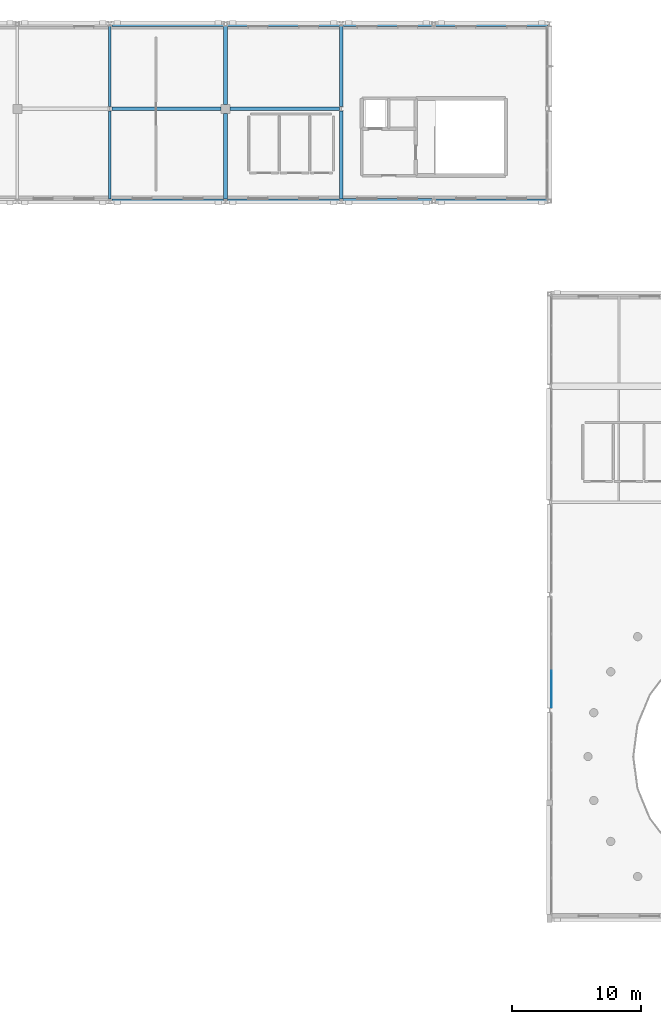
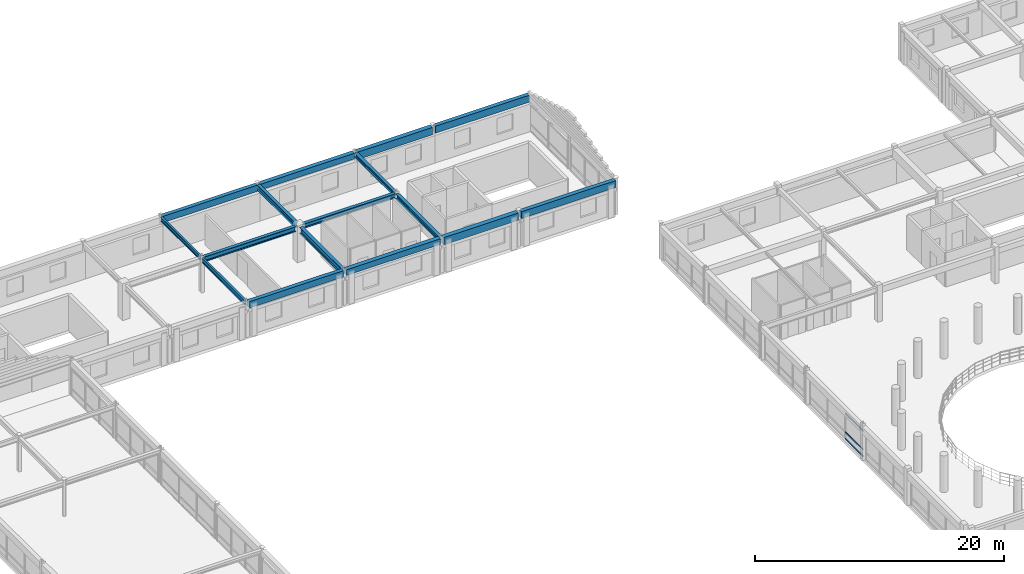
# One storey, part 17 of 52: 16 beams, 3 members, 1 element without a shape of its own.
"""IFC4 building model written with IfcOpenShell, lengths in metres."""

from ifc_helpers import new_model, si_unit, direction, frame, origin, origin_2d, place, context, subcontext, project, spatial, rectangle, i_section, extrude, material, material_profile, profile_set, type_object, element, aggregate, save


model = new_model("IFC4")

# Units and contexts
model_context = context("Model", 3, precision=1e-05, world=origin(), true_north=direction((0.0, 1.0)))
body_context = subcontext(model_context, "Body", "Model", "MODEL_VIEW")
ifc_project = project(units=[si_unit("LENGTHUNIT", "METRE"), si_unit("AREAUNIT", "SQUARE_METRE"), si_unit("VOLUMEUNIT", "CUBIC_METRE"), si_unit("PLANEANGLEUNIT", "RADIAN"), si_unit("MASSUNIT", "GRAM", prefix="KILO")], contexts=[model_context])

# Site, building, storey
site_placement = place(None, origin())
site = spatial("IfcSite", under=ifc_project, at=site_placement, CompositionType="ELEMENT")
building_placement = place(site_placement, origin())
building = spatial("IfcBuilding", under=site, at=building_placement, Name="Clarverna Civic Hall", CompositionType="ELEMENT")
storey_placement = place(building_placement, frame((0.0, 0.0, 16.800048828125)))
storey = spatial("IfcBuildingStorey", under=building, at=storey_placement, Name="L04", CompositionType="ELEMENT", Elevation=16.800048828125)

# Beams
ifc_material_1 = material(Name="Concrete C35/45", Category="concrete")
ifc_material_profile_1 = material_profile(ifc_material_1, rectangle(XDim=0.419921875, YDim=0.719970703125, at=origin_2d()), Name="RC 420x720")
ifc_profile_set_1 = profile_set([ifc_material_profile_1], Name="Concrete C35/45")
beam_type_1 = type_object("IfcBeamType", Name="B-SP1", PredefinedType="SPANDREL", material=ifc_profile_set_1)
beam_1_placement = place(storey_placement, frame((50.550048828125, 102.199951171875, 3.06005859375), z_axis=(1.0, 0.0, 0.0), x_axis=(0.0, 1.0, 0.0)))
element("IfcBeam", 1, at=beam_1_placement, inside=storey, type_object=beam_type_1, Name="B-SP1-131", PredefinedType="SPANDREL", context=body_context, shape_type="SweptSolid", body=[
    extrude(rectangle(XDim=0.419921875, YDim=0.719970703125, at=origin_2d()), origin(), (0.0, 0.0, 1.0), 6.913330078125),
])
beam_2_placement = place(storey_placement, frame((50.550048828125, 116.0, 3.06005859375), z_axis=(1.0, 0.0, 0.0), x_axis=(0.0, 1.0, 0.0)))
element("IfcBeam", 2, at=beam_2_placement, inside=storey, type_object=beam_type_1, Name="B-SP1-133", PredefinedType="SPANDREL", context=body_context, shape_type="SweptSolid", body=[
    extrude(rectangle(XDim=0.419921875, YDim=0.719970703125, at=origin_2d()), origin(), (0.0, 0.0, 1.0), 6.925048828125),
])
ifc_material_profile_2 = material_profile(ifc_material_1, rectangle(XDim=0.3798828125, YDim=0.679931640625, at=origin_2d()), Name="RC 380x680")
ifc_profile_set_2 = profile_set([ifc_material_profile_2], Name="Concrete C35/45")
beam_type_2 = type_object("IfcBeamType", Name="B-SP2", PredefinedType="SPANDREL", material=ifc_profile_set_2)
beam_3_placement = place(storey_placement, frame((57.736572265625, 102.199951171875, 3.079833984375), z_axis=(1.0, 0.0, 0.0), x_axis=(0.0, 1.0, 0.0)))
element("IfcBeam", 3, at=beam_3_placement, inside=storey, type_object=beam_type_2, Name="B-SP2-137", PredefinedType="SPANDREL", context=body_context, shape_type="SweptSolid", body=[
    extrude(rectangle(XDim=0.3798828125, YDim=0.679931640625, at=origin_2d()), origin(), (0.0, 0.0, 1.0), 8.738525390625),
])
beam_4_placement = place(storey_placement, frame((57.72509765625, 116.0, 3.079833984375), z_axis=(1.0, 0.0, 0.0), x_axis=(0.0, 1.0, 0.0)))
element("IfcBeam", 4, at=beam_4_placement, inside=storey, type_object=beam_type_2, Name="B-SP2-140", PredefinedType="SPANDREL", context=body_context, shape_type="SweptSolid", body=[
    extrude(rectangle(XDim=0.3798828125, YDim=0.679931640625, at=origin_2d()), origin(), (0.0, 0.0, 1.0), 8.724853515625),
])
ifc_material_profile_3 = material_profile(ifc_material_1, rectangle(XDim=0.360107421875, YDim=0.6201171875, at=origin_2d()), Name="RC 360x620")
ifc_profile_set_3 = profile_set([ifc_material_profile_3], Name="Concrete C35/45")
beam_type_3 = type_object("IfcBeamType", Name="B-SP3", PredefinedType="SPANDREL", material=ifc_profile_set_3)
beam_5_placement = place(storey_placement, frame((32.550048828125, 102.199951171875, 3.10986328125), z_axis=(1.0, 0.0, 0.0), x_axis=(0.0, 1.0, 0.0)))
element("IfcBeam", 5, at=beam_5_placement, inside=storey, type_object=beam_type_3, Name="B-SP3-135", PredefinedType="SPANDREL", context=body_context, shape_type="SweptSolid", body=[
    extrude(rectangle(XDim=0.360107421875, YDim=0.6201171875, at=origin_2d()), origin(), (0.0, 0.0, 1.0), 8.699951171875),
])
beam_6_placement = place(storey_placement, frame((32.550048828125, 116.0, 3.10986328125), z_axis=(1.0, 0.0, 0.0), x_axis=(0.0, 1.0, 0.0)))
element("IfcBeam", 6, at=beam_6_placement, inside=storey, type_object=beam_type_3, Name="B-SP3-138", PredefinedType="SPANDREL", context=body_context, shape_type="SweptSolid", body=[
    extrude(rectangle(XDim=0.360107421875, YDim=0.6201171875, at=origin_2d()), origin(), (0.0, 0.0, 1.0), 8.71337890625),
])
ifc_material_profile_4 = material_profile(ifc_material_1, rectangle(XDim=0.39990234375, YDim=0.56005859375, at=origin_2d()), Name="RC 400x560")
ifc_profile_set_4 = profile_set([ifc_material_profile_4], Name="Concrete C35/45")
beam_type_4 = type_object("IfcBeamType", Name="B-SP4", PredefinedType="SPANDREL", material=ifc_profile_set_4)
beam_7_placement = place(storey_placement, frame((41.550048828125, 102.199951171875, 3.139892578125), z_axis=(1.0, 0.0, 0.0), x_axis=(0.0, 1.0, 0.0)))
element("IfcBeam", 7, at=beam_7_placement, inside=storey, type_object=beam_type_4, Name="B-SP4-134", PredefinedType="SPANDREL", context=body_context, shape_type="SweptSolid", body=[
    extrude(rectangle(XDim=0.39990234375, YDim=0.56005859375, at=origin_2d()), origin(), (0.0, 0.0, 1.0), 8.699951171875),
])
beam_8_placement = place(storey_placement, frame((41.53662109375, 116.0, 3.139892578125), z_axis=(1.0, 0.0, 0.0), x_axis=(0.0, 1.0, 0.0)))
element("IfcBeam", 8, at=beam_8_placement, inside=storey, type_object=beam_type_4, Name="B-SP4-136", PredefinedType="SPANDREL", context=body_context, shape_type="SweptSolid", body=[
    extrude(rectangle(XDim=0.39990234375, YDim=0.56005859375, at=origin_2d()), origin(), (0.0, 0.0, 1.0), 8.71337890625),
])
ifc_material_2 = material(Name="Steel S355", Category="steel")
ifc_material_profile_5 = material_profile(ifc_material_2, i_section(OverallWidth=0.300048828125, OverallDepth=0.60009765625, WebThickness=0.015380859375, FlangeThickness=0.030029296875, FilletRadius=0.027099609375, at=origin_2d()), Name="HEB 600")
ifc_profile_set_5 = profile_set([ifc_material_profile_5], Name="Steel S355")
beam_type_5 = type_object("IfcBeamType", Name="B-ST1", PredefinedType="BEAM", material=ifc_profile_set_5)
beam_9_placement = place(storey_placement, frame((41.39990234375, 102.375, 3.119873046875), z_axis=(0.0, 1.0, 0.0), x_axis=(-1.0, 0.0, 0.0)))
element("IfcBeam", 9, at=beam_9_placement, inside=storey, type_object=beam_type_5, Name="B-ST1-020", PredefinedType="BEAM", context=body_context, shape_type="SweptSolid", body=[
    extrude(i_section(OverallWidth=0.300048828125, OverallDepth=0.60009765625, WebThickness=0.015380859375, FlangeThickness=0.030029296875, FilletRadius=0.027099609375, at=origin_2d()), origin(), (0.0, 0.0, 1.0), 6.675048828125),
])
ifc_material_profile_6 = material_profile(ifc_material_2, i_section(OverallWidth=0.18994140625, OverallDepth=0.449951171875, WebThickness=0.009521484375, FlangeThickness=0.0146484375, FilletRadius=0.02099609375, at=origin_2d()), Name="IPE 450")
ifc_profile_set_6 = profile_set([ifc_material_profile_6], Name="Steel S355")
beam_type_6 = type_object("IfcBeamType", Name="B-ST13", PredefinedType="BEAM", material=ifc_profile_set_6)
beam_10_placement = place(storey_placement, frame((32.39990234375, 102.3798828125, 3.195068359375), z_axis=(0.0, 1.0, 0.0), x_axis=(-1.0, 0.0, 0.0)))
element("IfcBeam", 10, at=beam_10_placement, inside=storey, type_object=beam_type_6, Name="B-ST13-021", PredefinedType="BEAM", context=body_context, shape_type="SweptSolid", body=[
    extrude(i_section(OverallWidth=0.18994140625, OverallDepth=0.449951171875, WebThickness=0.009521484375, FlangeThickness=0.0146484375, FilletRadius=0.02099609375, at=origin_2d()), origin(), (0.0, 0.0, 1.0), 6.85009765625),
])
ifc_material_profile_7 = material_profile(ifc_material_2, i_section(OverallWidth=0.179931640625, OverallDepth=0.39990234375, WebThickness=0.008544921875, FlangeThickness=0.013427734375, FilletRadius=0.02099609375, at=origin_2d()), Name="IPE 400")
ifc_profile_set_7 = profile_set([ifc_material_profile_7], Name="Steel S355")
beam_type_7 = type_object("IfcBeamType", Name="B-ST14", PredefinedType="BEAM", material=ifc_profile_set_7)
beam_11_placement = place(storey_placement, frame((32.39990234375, 109.570068359375, 3.219970703125), z_axis=(0.0, 1.0, 0.0), x_axis=(-1.0, 0.0, 0.0)))
element("IfcBeam", 11, at=beam_11_placement, inside=storey, type_object=beam_type_7, Name="B-ST14-024", PredefinedType="BEAM", context=body_context, shape_type="SweptSolid", body=[
    extrude(i_section(OverallWidth=0.179931640625, OverallDepth=0.39990234375, WebThickness=0.008544921875, FlangeThickness=0.013427734375, FilletRadius=0.02099609375, at=origin_2d()), origin(), (0.0, 0.0, 1.0), 6.27001953125),
])
ifc_material_profile_8 = material_profile(ifc_material_2, i_section(OverallWidth=0.300048828125, OverallDepth=0.5, WebThickness=0.014404296875, FlangeThickness=0.028076171875, FilletRadius=0.027099609375, at=origin_2d()), Name="HEB 500")
ifc_profile_set_8 = profile_set([ifc_material_profile_8], Name="Steel S355")
beam_type_8 = type_object("IfcBeamType", Name="B-ST2", PredefinedType="BEAM", material=ifc_profile_set_8)
beam_12_placement = place(storey_placement, frame((32.550048828125, 109.39990234375, 3.169921875), z_axis=(1.0, 0.0, 0.0), x_axis=(0.0, 1.0, 0.0)))
element("IfcBeam", 12, at=beam_12_placement, inside=storey, type_object=beam_type_8, Name="B-ST2-018", PredefinedType="BEAM", context=body_context, shape_type="SweptSolid", body=[
    extrude(i_section(OverallWidth=0.300048828125, OverallDepth=0.5, WebThickness=0.014404296875, FlangeThickness=0.028076171875, FilletRadius=0.027099609375, at=origin_2d()), origin(), (0.0, 0.0, 1.0), 8.5),
])
beam_13_placement = place(storey_placement, frame((41.39990234375, 109.75, 3.169921875), z_axis=(0.0, 1.0, 0.0), x_axis=(-1.0, 0.0, 0.0)))
element("IfcBeam", 13, at=beam_13_placement, inside=storey, type_object=beam_type_8, Name="B-ST2-020", PredefinedType="BEAM", context=body_context, shape_type="SweptSolid", body=[
    extrude(i_section(OverallWidth=0.300048828125, OverallDepth=0.5, WebThickness=0.014404296875, FlangeThickness=0.028076171875, FilletRadius=0.027099609375, at=origin_2d()), origin(), (0.0, 0.0, 1.0), 6.113525390625),
])
ifc_material_profile_9 = material_profile(ifc_material_2, i_section(OverallWidth=0.300048828125, OverallDepth=0.449951171875, WebThickness=0.013916015625, FlangeThickness=0.02587890625, FilletRadius=0.027099609375, at=origin_2d()), Name="HEB 450")
ifc_profile_set_9 = profile_set([ifc_material_profile_9], Name="Steel S355")
beam_type_9 = type_object("IfcBeamType", Name="B-ST3", PredefinedType="BEAM", material=ifc_profile_set_9)
beam_14_placement = place(storey_placement, frame((41.75, 109.39990234375, 3.195068359375), z_axis=(1.0, 0.0, 0.0), x_axis=(0.0, 1.0, 0.0)))
element("IfcBeam", 14, at=beam_14_placement, inside=storey, type_object=beam_type_9, Name="B-ST3-019", PredefinedType="BEAM", context=body_context, shape_type="SweptSolid", body=[
    extrude(i_section(OverallWidth=0.300048828125, OverallDepth=0.449951171875, WebThickness=0.013916015625, FlangeThickness=0.02587890625, FilletRadius=0.027099609375, at=origin_2d()), origin(), (0.0, 0.0, 1.0), 8.5),
])
beam_15_placement = place(storey_placement, frame((50.39990234375, 102.3798828125, 3.195068359375), z_axis=(0.0, 1.0, 0.0), x_axis=(-1.0, 0.0, 0.0)))
element("IfcBeam", 15, at=beam_15_placement, inside=storey, type_object=beam_type_9, Name="B-ST3-021", PredefinedType="BEAM", context=body_context, shape_type="SweptSolid", body=[
    extrude(i_section(OverallWidth=0.300048828125, OverallDepth=0.449951171875, WebThickness=0.013916015625, FlangeThickness=0.02587890625, FilletRadius=0.027099609375, at=origin_2d()), origin(), (0.0, 0.0, 1.0), 6.85009765625),
])
ifc_material_profile_10 = material_profile(ifc_material_2, i_section(OverallWidth=0.300048828125, OverallDepth=0.39990234375, WebThickness=0.013427734375, FlangeThickness=0.02392578125, FilletRadius=0.027099609375, at=origin_2d()), Name="HEB 400")
ifc_profile_set_10 = profile_set([ifc_material_profile_10], Name="Steel S355")
beam_type_10 = type_object("IfcBeamType", Name="B-ST4", PredefinedType="BEAM", material=ifc_profile_set_10)
beam_16_placement = place(storey_placement, frame((50.39990234375, 109.570068359375, 3.219970703125), z_axis=(0.0, 1.0, 0.0), x_axis=(-1.0, 0.0, 0.0)))
element("IfcBeam", 16, at=beam_16_placement, inside=storey, type_object=beam_type_10, Name="B-ST4-018", PredefinedType="BEAM", context=body_context, shape_type="SweptSolid", body=[
    extrude(i_section(OverallWidth=0.300048828125, OverallDepth=0.39990234375, WebThickness=0.013427734375, FlangeThickness=0.02392578125, FilletRadius=0.027099609375, at=origin_2d()), origin(), (0.0, 0.0, 1.0), 6.27001953125),
])

# Curtain wall, members
ifc_material_3 = material(Name="Anodised Bronze Architectural Aluminium", Category="aluminium")
curtain_wall_type = type_object("IfcCurtainWallType", Name="CW-06", PredefinedType="USERDEFINED", material=ifc_material_3)
curtain_wall_placement = place(storey_placement, origin())
curtain_wall = element("IfcCurtainWall", 17, at=curtain_wall_placement, inside=storey, type_object=curtain_wall_type, Name="CW-06-003", ObjectType="UNITISED CURTAIN WALL", PredefinedType="USERDEFINED")
ifc_material_profile_11 = material_profile(ifc_material_3, rectangle(XDim=0.06005859375, YDim=0.14990234375, at=origin_2d()), Name="BRONZE 60x150")
ifc_profile_set_11 = profile_set([ifc_material_profile_11], Name="Anodised Bronze Architectural Aluminium")
member_type = type_object("IfcMemberType", Name="CWT-01", PredefinedType="USERDEFINED", material=ifc_profile_set_11)
member_1_placement = place(storey_placement, frame((66.764892578125, 62.85791015625, 0.094970703125), z_axis=(0.0, 1.0, 0.0), x_axis=(-1.0, 0.0, 0.0)))
member_1 = element("IfcMember", 18, at=member_1_placement, type_object=member_type, Name="CWT-01-379", ObjectType="TRANSOM", PredefinedType="USERDEFINED", context=body_context, shape_type="SweptSolid", body=[
    extrude(rectangle(XDim=0.06005859375, YDim=0.14990234375, at=origin_2d()), origin(), (0.0, 0.0, 1.0), 2.811279296875),
])
member_2_placement = place(storey_placement, frame((66.764892578125, 62.85791015625, 0.75), z_axis=(0.0, 1.0, 0.0), x_axis=(-1.0, 0.0, 0.0)))
member_2 = element("IfcMember", 19, at=member_2_placement, type_object=member_type, Name="CWT-01-380", ObjectType="TRANSOM", PredefinedType="USERDEFINED", context=body_context, shape_type="SweptSolid", body=[
    extrude(rectangle(XDim=0.06005859375, YDim=0.14990234375, at=origin_2d()), origin(), (0.0, 0.0, 1.0), 2.811279296875),
])
member_3_placement = place(storey_placement, frame((66.764892578125, 62.85791015625, 2.56494140625), z_axis=(0.0, 1.0, 0.0), x_axis=(-1.0, 0.0, 0.0)))
member_3 = element("IfcMember", 20, at=member_3_placement, type_object=member_type, Name="CWT-01-381", ObjectType="TRANSOM", PredefinedType="USERDEFINED", context=body_context, shape_type="SweptSolid", body=[
    extrude(rectangle(XDim=0.06005859375, YDim=0.14990234375, at=origin_2d()), origin(), (0.0, 0.0, 1.0), 2.811279296875),
])
aggregate(curtain_wall, [member_1, member_2, member_3])

save(model, "model.ifc")
